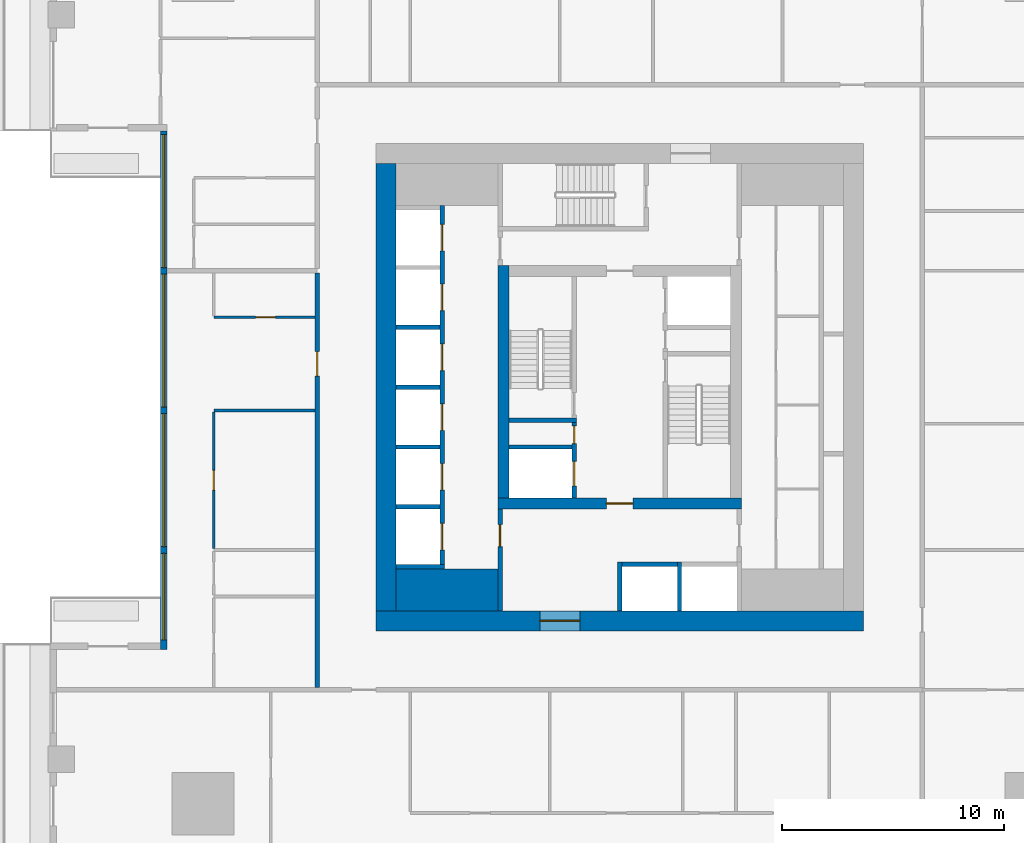
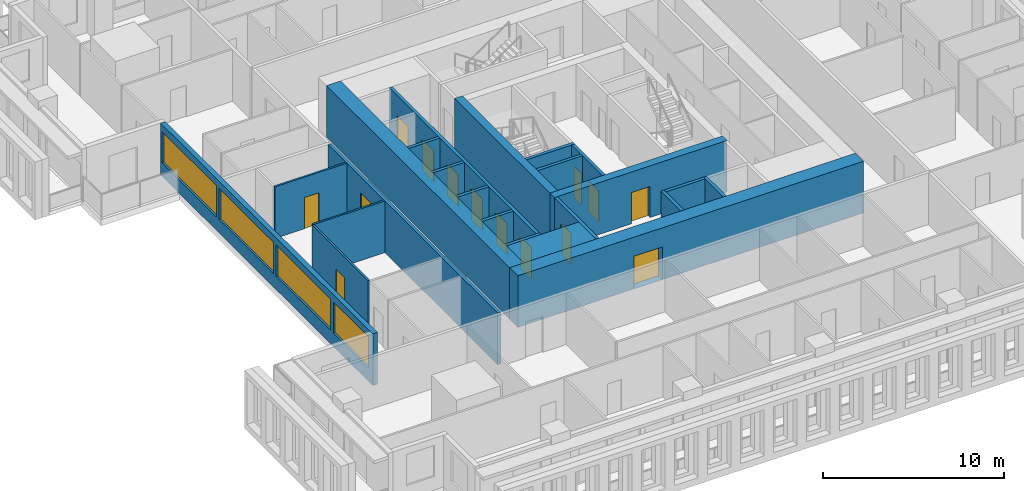
# One storey, part 3 of 14: 23 walls, 14 doors, 4 windows, 18 openings.
"""IFC4 building model written with IfcOpenShell, lengths in metres."""

from ifc_helpers import new_model, si_unit, direction, frame, frame_2d, origin, place, context, subcontext, project, spatial, rectangle, extrude, material, layer, layer_set, type_object, element, fill, save


model = new_model("IFC4")

# Units and contexts
model_context = context("Model", 3, precision=1e-05, world=origin(), true_north=direction((0.0, 1.0)))
body_context = subcontext(model_context, "Body", "Model", "MODEL_VIEW")
ifc_project = project(units=[si_unit("LENGTHUNIT", "METRE"), si_unit("AREAUNIT", "SQUARE_METRE"), si_unit("VOLUMEUNIT", "CUBIC_METRE"), si_unit("PLANEANGLEUNIT", "RADIAN"), si_unit("MASSUNIT", "GRAM", prefix="KILO")], contexts=[model_context])

# Site, building, storey
site_placement = place(None, origin())
site = spatial("IfcSite", under=ifc_project, at=site_placement, CompositionType="ELEMENT")
building_placement = place(site_placement, origin())
building = spatial("IfcBuilding", under=site, at=building_placement, Name="Khepri Terraces", CompositionType="ELEMENT")
storey_placement = place(building_placement, frame((0.0, 0.0, 110.39990234375)))
storey = spatial("IfcBuildingStorey", under=building, at=storey_placement, Name="L26", CompositionType="ELEMENT", Elevation=110.39990234375)

# Walls
ifc_material_1 = material(Name="Concrete C70/85", Category="concrete")
ifc_layer_1 = layer(ifc_material_1, 1.89990234375, Name="Concrete C70/85", Category="concrete")
ifc_layer_set_1 = layer_set([ifc_layer_1], Name="Concrete C70/85")
wall_type_1 = type_object("IfcWallType", Name="Core wall 1900 C70/85", PredefinedType="SHEAR", material=ifc_layer_set_1)
wall_1_placement = place(storey_placement, frame((-10.10009765625, -9.14990234375, 0.0), z_axis=(0.0, 0.0, 1.0), x_axis=(1.0, 0.0, 0.0)))
element("IfcWall", 1, at=wall_1_placement, inside=storey, type_object=wall_type_1, Name="Core wall PR01 L26", PredefinedType="SHEAR", context=body_context, shape_type="SweptSolid", body=[
    extrude(rectangle(XDim=4.60009765625, YDim=1.89990234375, at=frame_2d((2.300048828125, 0.0))), origin(), (0.0, 0.0, 1.0), 3.47998046875),
])
ifc_layer_2 = layer(ifc_material_1, 0.199951171875, Name="Concrete C70/85", Category="concrete")
ifc_layer_set_2 = layer_set([ifc_layer_2], Name="Concrete C70/85")
wall_type_2 = type_object("IfcWallType", Name="Core wall 200 C70/85", PredefinedType="SHEAR", material=ifc_layer_set_2)
wall_2_placement = place(storey_placement, frame((-5.0, -1.5, 0.0), z_axis=(0.0, 0.0, 1.0), x_axis=(1.0, 0.0, 0.0)))
element("IfcWall", 2, at=wall_2_placement, inside=storey, type_object=wall_type_2, Name="Core wall ST02 L26", PredefinedType="SHEAR", context=body_context, shape_type="SweptSolid", body=[
    extrude(rectangle(XDim=3.050048828125, YDim=0.199951171875, at=frame_2d((1.52490234375, 0.0))), origin(), (0.0, 0.0, 1.0), 3.47998046875),
])
for number, where, z_axis, x_axis, name in (
    (3, (0.0, -10.10009765625, 0.0), (0.0, 0.0, 1.0), (0.0, 1.0, 0.0), "Core wall SH01 L26"),
    (4, (2.699951171875, -10.10009765625, 0.0), (0.0, 0.0, 1.0), (0.0, 1.0, 0.0), "Core wall SH02 L26"),
    (5, (-10.10009765625, -8.10009765625, 0.0), (0.0, 0.0, 1.0), (1.0, 0.0, 0.0), "Core wall SH04 L26"),
):
    element("IfcWall", number, at=place(storey_placement, frame(where, z_axis=z_axis, x_axis=x_axis)), inside=storey, type_object=wall_type_2, Name=name, PredefinedType="SHEAR", context=body_context, shape_type="SweptSolid", body=[
        extrude(rectangle(XDim=2.2001953125, YDim=0.199951171875, at=frame_2d((1.10009765625, 0.0))), origin(), (0.0, 0.0, 1.0), 3.47998046875),
    ])
wall_3_placement = place(storey_placement, frame((0.10009765625, -8.0, 0.0), z_axis=(0.0, 0.0, 1.0), x_axis=(1.0, 0.0, 0.0)))
element("IfcWall", 6, at=wall_3_placement, inside=storey, type_object=wall_type_2, Name="Core wall SH06 L26", PredefinedType="SHEAR", context=body_context, shape_type="SweptSolid", body=[
    extrude(rectangle(XDim=2.5, YDim=0.199951171875, at=frame_2d((1.25, 0.0))), origin(), (0.0, 0.0, 1.0), 3.47998046875),
])

# Wall, openings, doors
wall_4_placement = place(storey_placement, frame((-8.0, -8.0, 0.0), z_axis=(0.0, 0.0, 1.0), x_axis=(0.0, 1.0, 0.0)))
wall_4 = element("IfcWall", 7, at=wall_4_placement, inside=storey, type_object=wall_type_2, Name="Core wall SH08 L26", PredefinedType="SHEAR", context=body_context, shape_type="SweptSolid", body=[
    extrude(rectangle(XDim=16.199951171875, YDim=0.199951171875, at=frame_2d((8.10009765625, 0.0))), origin(), (0.0, 0.0, 1.0), 3.47998046875),
])
opening_1_placement = place(wall_4_placement, frame((0.64990234375, 0.0, 0.0)))
opening_1 = element("IfcOpeningElement", 8, at=opening_1_placement, cuts=wall_4, Name="Opening L26-C01", PredefinedType="OPENING", context=body_context, shape_type="SweptSolid", body=[
    extrude(rectangle(XDim=1.199951171875, YDim=2.10009765625, at=frame_2d((0.60009765625, 1.050048828125))), frame((0.0, 0.10986328125, 0.0), z_axis=(0.0, -1.0, 0.0), x_axis=(1.0, 0.0, 0.0)), (0.0, 0.0, 1.0), 0.219970703125),
])
opening_2_placement = place(wall_4_placement, frame((3.35009765625, 0.0, 0.0)))
opening_2 = element("IfcOpeningElement", 9, at=opening_2_placement, cuts=wall_4, Name="Opening L26-C02", PredefinedType="OPENING", context=body_context, shape_type="SweptSolid", body=[
    extrude(rectangle(XDim=1.199951171875, YDim=2.10009765625, at=frame_2d((0.60009765625, 1.050048828125))), frame((0.0, 0.10986328125, 0.0), z_axis=(0.0, -1.0, 0.0), x_axis=(1.0, 0.0, 0.0)), (0.0, 0.0, 1.0), 0.219970703125),
])
opening_3_placement = place(wall_4_placement, frame((6.050048828125, 0.0, 0.0)))
opening_3 = element("IfcOpeningElement", 10, at=opening_3_placement, cuts=wall_4, Name="Opening L26-C03", PredefinedType="OPENING", context=body_context, shape_type="SweptSolid", body=[
    extrude(rectangle(XDim=1.199951171875, YDim=2.10009765625, at=frame_2d((0.60009765625, 1.050048828125))), frame((0.0, 0.10986328125, 0.0), z_axis=(0.0, -1.0, 0.0), x_axis=(1.0, 0.0, 0.0)), (0.0, 0.0, 1.0), 0.219970703125),
])
opening_4_placement = place(wall_4_placement, frame((8.75, 0.0, 0.0)))
opening_4 = element("IfcOpeningElement", 11, at=opening_4_placement, cuts=wall_4, Name="Opening L26-C04", PredefinedType="OPENING", context=body_context, shape_type="SweptSolid", body=[
    extrude(rectangle(XDim=1.199951171875, YDim=2.10009765625, at=frame_2d((0.60009765625, 1.050048828125))), frame((0.0, 0.10986328125, 0.0), z_axis=(0.0, -1.0, 0.0), x_axis=(1.0, 0.0, 0.0)), (0.0, 0.0, 1.0), 0.219970703125),
])
opening_5_placement = place(wall_4_placement, frame((11.449951171875, 0.0, 0.0)))
opening_5 = element("IfcOpeningElement", 12, at=opening_5_placement, cuts=wall_4, Name="Opening L26-C05", PredefinedType="OPENING", context=body_context, shape_type="SweptSolid", body=[
    extrude(rectangle(XDim=1.199951171875, YDim=2.10009765625, at=frame_2d((0.60009765625, 1.050048828125))), frame((0.0, 0.10986328125, 0.0), z_axis=(0.0, -1.0, 0.0), x_axis=(1.0, 0.0, 0.0)), (0.0, 0.0, 1.0), 0.219970703125),
])
opening_6_placement = place(wall_4_placement, frame((14.14990234375, 0.0, 0.0)))
opening_6 = element("IfcOpeningElement", 13, at=opening_6_placement, cuts=wall_4, Name="Opening L26-C06", PredefinedType="OPENING", context=body_context, shape_type="SweptSolid", body=[
    extrude(rectangle(XDim=1.199951171875, YDim=2.10009765625, at=frame_2d((0.60009765625, 1.050048828125))), frame((0.0, 0.10986328125, 0.0), z_axis=(0.0, -1.0, 0.0), x_axis=(1.0, 0.0, 0.0)), (0.0, 0.0, 1.0), 0.219970703125),
])
ifc_material_2 = material(Name="Stainless steel 304", Category="steel")
door_type_1 = type_object("IfcDoorType", Name="DR-CORE-LANDING-1200", OperationType="NOTDEFINED", PredefinedType="DOOR", material=ifc_material_2)
door_1_placement = place(opening_1_placement, origin())
door_1 = element("IfcDoor", 14, at=door_1_placement, inside=storey, type_object=door_type_1, Name="Lift landing door L26-C01", OperationType="SLIDING_TO_LEFT", OverallHeight=2.10009765625, OverallWidth=1.199951171875, PredefinedType="DOOR", context=body_context, shape_type="SweptSolid", body=[
    extrude(rectangle(XDim=1.199951171875, YDim=2.10009765625, at=frame_2d((0.60009765625, 1.050048828125))), frame((0.0, 0.02490234375, 0.0), z_axis=(0.0, -1.0, 0.0), x_axis=(1.0, 0.0, 0.0)), (0.0, 0.0, 1.0), 0.050048828125),
])
fill(opening_1, door_1)
door_2_placement = place(opening_2_placement, origin())
door_2 = element("IfcDoor", 15, at=door_2_placement, inside=storey, type_object=door_type_1, Name="Lift landing door L26-C02", OperationType="SLIDING_TO_LEFT", OverallHeight=2.10009765625, OverallWidth=1.199951171875, PredefinedType="DOOR", context=body_context, shape_type="SweptSolid", body=[
    extrude(rectangle(XDim=1.199951171875, YDim=2.10009765625, at=frame_2d((0.60009765625, 1.050048828125))), frame((0.0, 0.02490234375, 0.0), z_axis=(0.0, -1.0, 0.0), x_axis=(1.0, 0.0, 0.0)), (0.0, 0.0, 1.0), 0.050048828125),
])
fill(opening_2, door_2)
door_3_placement = place(opening_3_placement, origin())
door_3 = element("IfcDoor", 16, at=door_3_placement, inside=storey, type_object=door_type_1, Name="Lift landing door L26-C03", OperationType="SLIDING_TO_LEFT", OverallHeight=2.10009765625, OverallWidth=1.199951171875, PredefinedType="DOOR", context=body_context, shape_type="SweptSolid", body=[
    extrude(rectangle(XDim=1.199951171875, YDim=2.10009765625, at=frame_2d((0.60009765625, 1.050048828125))), frame((0.0, 0.02490234375, 0.0), z_axis=(0.0, -1.0, 0.0), x_axis=(1.0, 0.0, 0.0)), (0.0, 0.0, 1.0), 0.050048828125),
])
fill(opening_3, door_3)
door_4_placement = place(opening_4_placement, origin())
door_4 = element("IfcDoor", 17, at=door_4_placement, inside=storey, type_object=door_type_1, Name="Lift landing door L26-C04", OperationType="SLIDING_TO_LEFT", OverallHeight=2.10009765625, OverallWidth=1.199951171875, PredefinedType="DOOR", context=body_context, shape_type="SweptSolid", body=[
    extrude(rectangle(XDim=1.199951171875, YDim=2.10009765625, at=frame_2d((0.60009765625, 1.050048828125))), frame((0.0, 0.02490234375, 0.0), z_axis=(0.0, -1.0, 0.0), x_axis=(1.0, 0.0, 0.0)), (0.0, 0.0, 1.0), 0.050048828125),
])
fill(opening_4, door_4)
door_5_placement = place(opening_5_placement, origin())
door_5 = element("IfcDoor", 18, at=door_5_placement, inside=storey, type_object=door_type_1, Name="Lift landing door L26-C05", OperationType="SLIDING_TO_LEFT", OverallHeight=2.10009765625, OverallWidth=1.199951171875, PredefinedType="DOOR", context=body_context, shape_type="SweptSolid", body=[
    extrude(rectangle(XDim=1.199951171875, YDim=2.10009765625, at=frame_2d((0.60009765625, 1.050048828125))), frame((0.0, 0.02490234375, 0.0), z_axis=(0.0, -1.0, 0.0), x_axis=(1.0, 0.0, 0.0)), (0.0, 0.0, 1.0), 0.050048828125),
])
fill(opening_5, door_5)
door_6_placement = place(opening_6_placement, origin())
door_6 = element("IfcDoor", 19, at=door_6_placement, inside=storey, type_object=door_type_1, Name="Lift landing door L26-C06", OperationType="SLIDING_TO_LEFT", OverallHeight=2.10009765625, OverallWidth=1.199951171875, PredefinedType="DOOR", context=body_context, shape_type="SweptSolid", body=[
    extrude(rectangle(XDim=1.199951171875, YDim=2.10009765625, at=frame_2d((0.60009765625, 1.050048828125))), frame((0.0, 0.02490234375, 0.0), z_axis=(0.0, -1.0, 0.0), x_axis=(1.0, 0.0, 0.0)), (0.0, 0.0, 1.0), 0.050048828125),
])
fill(opening_6, door_6)

# Wall
wall_5_placement = place(storey_placement, frame((-10.10009765625, -5.39990234375, 0.0), z_axis=(0.0, 0.0, 1.0), x_axis=(1.0, 0.0, 0.0)))
element("IfcWall", 20, at=wall_5_placement, inside=storey, type_object=wall_type_2, Name="Core wall SH09 L26", PredefinedType="SHEAR", context=body_context, shape_type="SweptSolid", body=[
    extrude(rectangle(XDim=2.0, YDim=0.199951171875, at=frame_2d((1.0, 0.0))), origin(), (0.0, 0.0, 1.0), 3.47998046875),
])

# Wall, openings, doors
wall_6_placement = place(storey_placement, frame((-2.050048828125, -5.0, 0.0), z_axis=(0.0, 0.0, 1.0), x_axis=(0.0, 1.0, 0.0)))
wall_6 = element("IfcWall", 21, at=wall_6_placement, inside=storey, type_object=wall_type_2, Name="Core wall SH10 L26", PredefinedType="SHEAR", context=body_context, shape_type="SweptSolid", body=[
    extrude(rectangle(XDim=3.39990234375, YDim=0.199951171875, at=frame_2d((1.699951171875, 0.0))), origin(), (0.0, 0.0, 1.0), 3.47998046875),
])
opening_7_placement = place(wall_6_placement, frame((0.550048828125, 0.0, 0.0)))
opening_7 = element("IfcOpeningElement", 22, at=opening_7_placement, cuts=wall_6, Name="Opening L26-C08", PredefinedType="OPENING", context=body_context, shape_type="SweptSolid", body=[
    extrude(rectangle(XDim=1.10009765625, YDim=2.10009765625, at=frame_2d((0.550048828125, 1.050048828125))), frame((0.0, 0.10986328125, 0.0), z_axis=(0.0, -1.0, 0.0), x_axis=(1.0, 0.0, 0.0)), (0.0, 0.0, 1.0), 0.219970703125),
])
opening_8_placement = place(wall_6_placement, frame((2.449951171875, 0.0, 0.0)))
opening_8 = element("IfcOpeningElement", 23, at=opening_8_placement, cuts=wall_6, Name="Opening L26-C12", PredefinedType="OPENING", context=body_context, shape_type="SweptSolid", body=[
    extrude(rectangle(XDim=0.800048828125, YDim=2.10009765625, at=frame_2d((0.39990234375, 1.050048828125))), frame((0.0, 0.10986328125, 0.0), z_axis=(0.0, -1.0, 0.0), x_axis=(1.0, 0.0, 0.0)), (0.0, 0.0, 1.0), 0.219970703125),
])
door_type_2 = type_object("IfcDoorType", Name="DR-CORE-FF-LANDING-1100", OperationType="NOTDEFINED", PredefinedType="DOOR", material=ifc_material_2)
door_7_placement = place(opening_7_placement, origin())
door_7 = element("IfcDoor", 24, at=door_7_placement, inside=storey, type_object=door_type_2, Name="Firefighting lift landing door L26-C08", OperationType="SLIDING_TO_LEFT", OverallHeight=2.10009765625, OverallWidth=1.10009765625, PredefinedType="DOOR", context=body_context, shape_type="SweptSolid", body=[
    extrude(rectangle(XDim=1.10009765625, YDim=2.10009765625, at=frame_2d((0.550048828125, 1.050048828125))), frame((0.0, 0.02490234375, 0.0), z_axis=(0.0, -1.0, 0.0), x_axis=(1.0, 0.0, 0.0)), (0.0, 0.0, 1.0), 0.050048828125),
])
fill(opening_7, door_7)
ifc_material_3 = material(Name="Painted steel", Category="steel")
door_type_3 = type_object("IfcDoorType", Name="DR-CORE-RISER-800", OperationType="NOTDEFINED", PredefinedType="DOOR", material=ifc_material_3)
door_8_placement = place(opening_8_placement, origin())
door_8 = element("IfcDoor", 25, at=door_8_placement, inside=storey, type_object=door_type_3, Name="Riser door L26-C12", OperationType="SINGLE_SWING_RIGHT", OverallHeight=2.10009765625, OverallWidth=0.800048828125, PredefinedType="DOOR", context=body_context, shape_type="SweptSolid", body=[
    extrude(rectangle(XDim=0.800048828125, YDim=2.10009765625, at=frame_2d((0.39990234375, 1.050048828125))), frame((0.0, 0.02490234375, 0.0), z_axis=(0.0, -1.0, 0.0), x_axis=(1.0, 0.0, 0.0)), (0.0, 0.0, 1.0), 0.050048828125),
])
fill(opening_8, door_8)

# Walls
wall_7_placement = place(storey_placement, frame((-10.10009765625, -2.699951171875, 0.0), z_axis=(0.0, 0.0, 1.0), x_axis=(1.0, 0.0, 0.0)))
element("IfcWall", 26, at=wall_7_placement, inside=storey, type_object=wall_type_2, Name="Core wall SH12 L26", PredefinedType="SHEAR", context=body_context, shape_type="SweptSolid", body=[
    extrude(rectangle(XDim=2.0, YDim=0.199951171875, at=frame_2d((1.0, 0.0))), origin(), (0.0, 0.0, 1.0), 3.47998046875),
])
wall_8_placement = place(storey_placement, frame((-5.0, -2.699951171875, 0.0), z_axis=(0.0, 0.0, 1.0), x_axis=(1.0, 0.0, 0.0)))
element("IfcWall", 27, at=wall_8_placement, inside=storey, type_object=wall_type_2, Name="Core wall SH13 L26", PredefinedType="SHEAR", context=body_context, shape_type="SweptSolid", body=[
    extrude(rectangle(XDim=2.85009765625, YDim=0.199951171875, at=frame_2d((1.425048828125, 0.0))), origin(), (0.0, 0.0, 1.0), 3.47998046875),
])
for number, where, z_axis, x_axis, name in (
    (28, (-10.10009765625, 0.0, 0.0), (0.0, 0.0, 1.0), (1.0, 0.0, 0.0), "Core wall SH14 L26"),
    (29, (-10.10009765625, 2.699951171875, 0.0), (0.0, 0.0, 1.0), (1.0, 0.0, 0.0), "Core wall SH17 L26"),
):
    element("IfcWall", number, at=place(storey_placement, frame(where, z_axis=z_axis, x_axis=x_axis)), inside=storey, type_object=wall_type_2, Name=name, PredefinedType="SHEAR", context=body_context, shape_type="SweptSolid", body=[
        extrude(rectangle(XDim=2.0, YDim=0.199951171875, at=frame_2d((1.0, 0.0))), origin(), (0.0, 0.0, 1.0), 3.47998046875),
    ])

# Wall, opening, door
ifc_layer_3 = layer(ifc_material_1, 0.5, Name="Concrete C70/85", Category="concrete")
ifc_layer_set_3 = layer_set([ifc_layer_3], Name="Concrete C70/85")
wall_type_3 = type_object("IfcWallType", Name="Core wall 500 C70/85", PredefinedType="SHEAR", material=ifc_layer_set_3)
wall_9_placement = place(storey_placement, frame((-5.5, -5.25, 0.0), z_axis=(0.0, 0.0, 1.0), x_axis=(1.0, 0.0, 0.0)))
wall_9 = element("IfcWall", 30, at=wall_9_placement, inside=storey, type_object=wall_type_3, Name="Core wall BX01 L26", PredefinedType="SHEAR", context=body_context, shape_type="SweptSolid", body=[
    extrude(rectangle(XDim=11.0, YDim=0.5, at=frame_2d((5.5, 0.0))), origin(), (0.0, 0.0, 1.0), 3.47998046875),
])
opening_9_placement = place(wall_9_placement, frame((4.89990234375, 0.0, 0.0)))
opening_9 = element("IfcOpeningElement", 31, at=opening_9_placement, cuts=wall_9, Name="Opening L26-C14", PredefinedType="OPENING", context=body_context, shape_type="SweptSolid", body=[
    extrude(rectangle(XDim=1.199951171875, YDim=2.10009765625, at=frame_2d((0.60009765625, 1.050048828125))), frame((0.0, 0.260009765625, 0.0), z_axis=(0.0, -1.0, 0.0), x_axis=(1.0, 0.0, 0.0)), (0.0, 0.0, 1.0), 0.52001953125),
])
door_type_4 = type_object("IfcDoorType", Name="DR-CORE-FF-LOBBY-1200", OperationType="NOTDEFINED", PredefinedType="DOOR", material=ifc_material_3)
door_9_placement = place(opening_9_placement, origin())
door_9 = element("IfcDoor", 32, at=door_9_placement, inside=storey, type_object=door_type_4, Name="Firefighting lobby door L26-C14", OperationType="SINGLE_SWING_RIGHT", OverallHeight=2.10009765625, OverallWidth=1.199951171875, PredefinedType="DOOR", context=body_context, shape_type="SweptSolid", body=[
    extrude(rectangle(XDim=1.199951171875, YDim=2.10009765625, at=frame_2d((0.60009765625, 1.050048828125))), frame((0.0, 0.02490234375, 0.0), z_axis=(0.0, -1.0, 0.0), x_axis=(1.0, 0.0, 0.0)), (0.0, 0.0, 1.0), 0.050048828125),
])
fill(opening_9, door_9)

# Wall
wall_10_placement = place(storey_placement, frame((-5.25, -5.0, 0.0), z_axis=(0.0, 0.0, 1.0), x_axis=(0.0, 1.0, 0.0)))
element("IfcWall", 33, at=wall_10_placement, inside=storey, type_object=wall_type_3, Name="Core wall BX02 L26", PredefinedType="SHEAR", context=body_context, shape_type="SweptSolid", body=[
    extrude(rectangle(XDim=10.5, YDim=0.5, at=frame_2d((5.25, 0.0))), origin(), (0.0, 0.0, 1.0), 3.47998046875),
])

# Wall, opening, door
ifc_layer_4 = layer(ifc_material_1, 0.89990234375, Name="Concrete C70/85", Category="concrete")
ifc_layer_set_4 = layer_set([ifc_layer_4], Name="Concrete C70/85")
wall_type_4 = type_object("IfcWallType", Name="Core wall 900 C70/85", PredefinedType="SHEAR", material=ifc_layer_set_4)
wall_11_placement = place(storey_placement, frame((-11.0, -10.550048828125, 0.0), z_axis=(0.0, 0.0, 1.0), x_axis=(1.0, 0.0, 0.0)))
wall_11 = element("IfcWall", 34, at=wall_11_placement, inside=storey, type_object=wall_type_4, Name="Core wall OW-S L26", PredefinedType="SHEAR", context=body_context, shape_type="SweptSolid", body=[
    extrude(rectangle(XDim=22.0, YDim=0.89990234375, at=frame_2d((11.0, 0.0))), origin(), (0.0, 0.0, 1.0), 3.47998046875),
])
opening_10_placement = place(wall_11_placement, frame((7.39990234375, 0.0, 0.0)))
opening_10 = element("IfcOpeningElement", 35, at=opening_10_placement, cuts=wall_11, Name="Opening L26-C21", PredefinedType="OPENING", context=body_context, shape_type="SweptSolid", body=[
    extrude(rectangle(XDim=1.800048828125, YDim=2.199951171875, at=frame_2d((0.89990234375, 1.10009765625))), frame((0.0, 0.4599609375, 0.0), z_axis=(0.0, -1.0, 0.0), x_axis=(1.0, 0.0, 0.0)), (0.0, 0.0, 1.0), 0.919921875),
])
door_type_5 = type_object("IfcDoorType", Name="DR-CORE-ENTRANCE-1800", OperationType="NOTDEFINED", PredefinedType="DOOR", material=ifc_material_3)
door_10_placement = place(opening_10_placement, frame((1.800048828125, 0.0, 0.0), z_axis=(0.0, 0.0, 1.0), x_axis=(-1.0, 0.0, 0.0)))
door_10 = element("IfcDoor", 36, at=door_10_placement, inside=storey, type_object=door_type_5, Name="Core entrance door pair L26-C21", OperationType="DOUBLE_DOOR_SINGLE_SWING", OverallHeight=2.199951171875, OverallWidth=1.800048828125, PredefinedType="DOOR", context=body_context, shape_type="SweptSolid", body=[
    extrude(rectangle(XDim=1.800048828125, YDim=2.199951171875, at=frame_2d((0.89990234375, 1.10009765625))), frame((0.0, 0.02490234375, 0.0), z_axis=(0.0, -1.0, 0.0), x_axis=(1.0, 0.0, 0.0)), (0.0, 0.0, 1.0), 0.050048828125),
])
fill(opening_10, door_10)

# Wall
wall_12_placement = place(storey_placement, frame((-10.550048828125, -10.10009765625, 0.0), z_axis=(0.0, 0.0, 1.0), x_axis=(0.0, 1.0, 0.0)))
element("IfcWall", 37, at=wall_12_placement, inside=storey, type_object=wall_type_4, Name="Core wall OW-W L26", PredefinedType="SHEAR", context=body_context, shape_type="SweptSolid", body=[
    extrude(rectangle(XDim=20.2001953125, YDim=0.89990234375, at=frame_2d((10.10009765625, 0.0))), origin(), (0.0, 0.0, 1.0), 3.47998046875),
])

# Wall, opening, door
ifc_material_4 = material(Name="Fire-rated gypsum board partition")
ifc_layer_5 = layer(ifc_material_4, 0.199951171875, Name="Fire-rated gypsum board partition")
ifc_layer_set_5 = layer_set([ifc_layer_5], Name="Fire-rated gypsum board partition")
wall_type_5 = type_object("IfcWallType", Name="WL-CORE-PART-200", PredefinedType="PARTITIONING", material=ifc_layer_set_5)
wall_13_placement = place(storey_placement, frame((-5.39990234375, -10.10009765625, 0.0), z_axis=(0.0, 0.0, 1.0), x_axis=(0.0, 1.0, 0.0)))
wall_13 = element("IfcWall", 38, at=wall_13_placement, inside=storey, type_object=wall_type_5, Name="Core partition PT01 L26", PredefinedType="PARTITIONING", context=body_context, shape_type="SweptSolid", body=[
    extrude(rectangle(XDim=4.60009765625, YDim=0.199951171875, at=frame_2d((2.300048828125, 0.0))), origin(), (0.0, 0.0, 1.0), 3.47998046875),
])
opening_11_placement = place(wall_13_placement, frame((2.89990234375, 0.0, 0.0)))
opening_11 = element("IfcOpeningElement", 39, at=opening_11_placement, cuts=wall_13, Name="Opening L26-C18", PredefinedType="OPENING", context=body_context, shape_type="SweptSolid", body=[
    extrude(rectangle(XDim=1.0, YDim=2.10009765625, at=frame_2d((0.5, 1.050048828125))), frame((0.0, 0.10986328125, 0.0), z_axis=(0.0, -1.0, 0.0), x_axis=(1.0, 0.0, 0.0)), (0.0, 0.0, 1.0), 0.219970703125),
])
door_type_6 = type_object("IfcDoorType", Name="DR-CORE-LOBBY-1000", OperationType="NOTDEFINED", PredefinedType="DOOR", material=ifc_material_3)
door_11_placement = place(opening_11_placement, frame((1.0, 0.0, 0.0), z_axis=(0.0, 0.0, 1.0), x_axis=(-1.0, 0.0, 0.0)))
door_11 = element("IfcDoor", 40, at=door_11_placement, inside=storey, type_object=door_type_6, Name="Lobby door L26-C18", OperationType="SINGLE_SWING_LEFT", OverallHeight=2.10009765625, OverallWidth=1.0, PredefinedType="DOOR", context=body_context, shape_type="SweptSolid", body=[
    extrude(rectangle(XDim=1.0, YDim=2.10009765625, at=frame_2d((0.5, 1.050048828125))), frame((0.0, 0.02490234375, 0.0), z_axis=(0.0, -1.0, 0.0), x_axis=(1.0, 0.0, 0.0)), (0.0, 0.0, 1.0), 0.050048828125),
])
fill(opening_11, door_11)

ifc_material_5 = material(Name="Fire-rated gypsum plasterboard partition, mineral wool")
ifc_layer_6 = layer(ifc_material_5, 0.199951171875, Name="Fire-rated gypsum plasterboard partition, mineral wool")
ifc_layer_set_6 = layer_set([ifc_layer_6], Name="Fire-rated gypsum plasterboard partition, mineral wool")
wall_type_6 = type_object("IfcWallType", Name="WL-CORR-200", PredefinedType="PARTITIONING", material=ifc_layer_set_6)
wall_14_placement = place(storey_placement, frame((-13.64990234375, -13.550048828125, 0.0), z_axis=(0.0, 0.0, 1.0), x_axis=(0.0, 1.0, 0.0)))
wall_14 = element("IfcWall", 41, at=wall_14_placement, inside=storey, type_object=wall_type_6, Name="Partition P-023 L26", PredefinedType="PARTITIONING", context=body_context, shape_type="SweptSolid", body=[
    extrude(rectangle(XDim=18.699951171875, YDim=0.199951171875, at=frame_2d((9.35009765625, 0.0))), origin(), (0.0, 0.0, 1.0), 3.47998046875),
])
opening_12_placement = place(wall_14_placement, frame((14.050048828125, 0.0, 0.0)))
opening_12 = element("IfcOpeningElement", 42, at=opening_12_placement, cuts=wall_14, Name="Opening D1", PredefinedType="OPENING", context=body_context, shape_type="SweptSolid", body=[
    extrude(rectangle(XDim=1.10009765625, YDim=2.39990234375, at=frame_2d((0.550048828125, 1.199951171875))), frame((0.0, 0.10986328125, 0.0), z_axis=(0.0, -1.0, 0.0), x_axis=(1.0, 0.0, 0.0)), (0.0, 0.0, 1.0), 0.219970703125),
])
ifc_material_6 = material(Name="Solid-core timber door leaf, flat entrance door", Category="wood")
door_type_7 = type_object("IfcDoorType", Name="DR-ENT-1100", OperationType="NOTDEFINED", PredefinedType="DOOR", material=ifc_material_6)
door_12_placement = place(opening_12_placement, origin())
door_12 = element("IfcDoor", 43, at=door_12_placement, inside=storey, type_object=door_type_7, Name="Flat D2 entrance door", OperationType="SINGLE_SWING_RIGHT", OverallHeight=2.39990234375, OverallWidth=1.10009765625, PredefinedType="DOOR", context=body_context, shape_type="SweptSolid", body=[
    extrude(rectangle(XDim=1.10009765625, YDim=2.39990234375, at=frame_2d((0.550048828125, 1.199951171875))), frame((0.0, 0.02490234375, 0.0), z_axis=(0.0, -1.0, 0.0), x_axis=(1.0, 0.0, 0.0)), (0.0, 0.0, 1.0), 0.050048828125),
])
fill(opening_12, door_12)

# Wall, openings, windows
ifc_material_7 = material(Name="Precast concrete C50/60 warm stone", Category="masonry")
ifc_layer_7 = layer(ifc_material_7, 0.300048828125, Name="Precast concrete C50/60 warm stone", Category="masonry")
ifc_layer_set_7 = layer_set([ifc_layer_7], Name="Precast concrete C50/60 warm stone")
wall_type_7 = type_object("IfcWallType", Name="WL-EXT-PRECAST-300", PredefinedType="STANDARD", material=ifc_layer_set_7)
wall_15_placement = place(storey_placement, frame((-20.570068359375, 11.550048828125, 0.0), z_axis=(0.0, 0.0, 1.0), x_axis=(0.0, -1.0, 0.0)))
wall_15 = element("IfcWall", 44, at=wall_15_placement, inside=storey, type_object=wall_type_7, Name="External wall L26 W", PredefinedType="STANDARD", context=body_context, shape_type="SweptSolid", body=[
    extrude(rectangle(XDim=23.400146484375, YDim=0.300048828125, at=frame_2d((11.7001953125, 0.0))), origin(), (0.0, 0.0, 1.0), 3.47998046875),
])
opening_13_placement = place(wall_15_placement, frame((0.14990234375, 0.0, 0.89990234375)))
opening_13 = element("IfcOpeningElement", 45, at=opening_13_placement, cuts=wall_15, Name="Opening W3", PredefinedType="OPENING", context=body_context, shape_type="SweptSolid", body=[
    extrude(rectangle(XDim=6.0, YDim=2.10009765625, at=frame_2d((3.0, 1.050048828125))), frame((0.0, 0.16015625, 0.0), z_axis=(0.0, -1.0, 0.0), x_axis=(1.0, 0.0, 0.0)), (0.0, 0.0, 1.0), 0.320068359375),
])
opening_14_placement = place(wall_15_placement, frame((6.449951171875, 0.0, 0.89990234375)))
opening_14 = element("IfcOpeningElement", 46, at=opening_14_placement, cuts=wall_15, Name="Opening W3", PredefinedType="OPENING", context=body_context, shape_type="SweptSolid", body=[
    extrude(rectangle(XDim=6.0, YDim=2.10009765625, at=frame_2d((3.0, 1.050048828125))), frame((0.0, 0.16015625, 0.0), z_axis=(0.0, -1.0, 0.0), x_axis=(1.0, 0.0, 0.0)), (0.0, 0.0, 1.0), 0.320068359375),
])
opening_15_placement = place(wall_15_placement, frame((12.75, 0.0, 0.89990234375)))
opening_15 = element("IfcOpeningElement", 47, at=opening_15_placement, cuts=wall_15, Name="Opening W3", PredefinedType="OPENING", context=body_context, shape_type="SweptSolid", body=[
    extrude(rectangle(XDim=6.0, YDim=2.10009765625, at=frame_2d((3.0, 1.050048828125))), frame((0.0, 0.16015625, 0.0), z_axis=(0.0, -1.0, 0.0), x_axis=(1.0, 0.0, 0.0)), (0.0, 0.0, 1.0), 0.320068359375),
])
opening_16_placement = place(wall_15_placement, frame((19.050048828125, 0.0, 0.89990234375)))
opening_16 = element("IfcOpeningElement", 48, at=opening_16_placement, cuts=wall_15, Name="Opening W2", PredefinedType="OPENING", context=body_context, shape_type="SweptSolid", body=[
    extrude(rectangle(XDim=3.89990234375, YDim=2.10009765625, at=frame_2d((1.949951171875, 1.050048828125))), frame((0.0, 0.16015625, 0.0), z_axis=(0.0, -1.0, 0.0), x_axis=(1.0, 0.0, 0.0)), (0.0, 0.0, 1.0), 0.320068359375),
])
ifc_material_8 = material(Name="Clear glass", Category="glass")
window_type_1 = type_object("IfcWindowType", Name="WIN-RES-3900x2100", PartitioningType="SINGLE_PANEL", PredefinedType="WINDOW", material=ifc_material_8)
window_1_placement = place(opening_16_placement, origin())
window_1 = element("IfcWindow", 49, at=window_1_placement, inside=storey, type_object=window_type_1, Name="Window L26 W", OverallHeight=2.10009765625, OverallWidth=3.89990234375, PartitioningType="SINGLE_PANEL", PredefinedType="WINDOW", context=body_context, shape_type="SweptSolid", body=[
    extrude(rectangle(XDim=3.89990234375, YDim=2.10009765625, at=frame_2d((1.949951171875, 1.050048828125))), frame((0.0, 0.030029296875, 0.0), z_axis=(0.0, -1.0, 0.0), x_axis=(1.0, 0.0, 0.0)), (0.0, 0.0, 1.0), 0.06005859375),
])
fill(opening_16, window_1)
window_type_2 = type_object("IfcWindowType", Name="WIN-RES-6000x2100", PartitioningType="SINGLE_PANEL", PredefinedType="WINDOW", material=ifc_material_8)
window_2_placement = place(opening_13_placement, origin())
window_2 = element("IfcWindow", 50, at=window_2_placement, inside=storey, type_object=window_type_2, Name="Window L26 W", OverallHeight=2.10009765625, OverallWidth=6.0, PartitioningType="SINGLE_PANEL", PredefinedType="WINDOW", context=body_context, shape_type="SweptSolid", body=[
    extrude(rectangle(XDim=6.0, YDim=2.10009765625, at=frame_2d((3.0, 1.050048828125))), frame((0.0, 0.030029296875, 0.0), z_axis=(0.0, -1.0, 0.0), x_axis=(1.0, 0.0, 0.0)), (0.0, 0.0, 1.0), 0.06005859375),
])
fill(opening_13, window_2)
window_3_placement = place(opening_14_placement, origin())
window_3 = element("IfcWindow", 51, at=window_3_placement, inside=storey, type_object=window_type_2, Name="Window L26 W", OverallHeight=2.10009765625, OverallWidth=6.0, PartitioningType="SINGLE_PANEL", PredefinedType="WINDOW", context=body_context, shape_type="SweptSolid", body=[
    extrude(rectangle(XDim=6.0, YDim=2.10009765625, at=frame_2d((3.0, 1.050048828125))), frame((0.0, 0.030029296875, 0.0), z_axis=(0.0, -1.0, 0.0), x_axis=(1.0, 0.0, 0.0)), (0.0, 0.0, 1.0), 0.06005859375),
])
fill(opening_14, window_3)
window_4_placement = place(opening_15_placement, origin())
window_4 = element("IfcWindow", 52, at=window_4_placement, inside=storey, type_object=window_type_2, Name="Window L26 W", OverallHeight=2.10009765625, OverallWidth=6.0, PartitioningType="SINGLE_PANEL", PredefinedType="WINDOW", context=body_context, shape_type="SweptSolid", body=[
    extrude(rectangle(XDim=6.0, YDim=2.10009765625, at=frame_2d((3.0, 1.050048828125))), frame((0.0, 0.030029296875, 0.0), z_axis=(0.0, -1.0, 0.0), x_axis=(1.0, 0.0, 0.0)), (0.0, 0.0, 1.0), 0.06005859375),
])
fill(opening_15, window_4)

# Wall, opening, door
ifc_material_9 = material(Name="Gypsum plasterboard partition")
ifc_layer_8 = layer(ifc_material_9, 0.1201171875, Name="Gypsum plasterboard partition")
ifc_layer_set_8 = layer_set([ifc_layer_8], Name="Gypsum plasterboard partition")
wall_type_8 = type_object("IfcWallType", Name="WL-PART-120", PredefinedType="PARTITIONING", material=ifc_layer_set_8)
wall_16_placement = place(storey_placement, frame((-18.320068359375, -7.2900390625, 0.0), z_axis=(0.0, 0.0, 1.0), x_axis=(0.0, 1.0, 0.0)))
wall_16 = element("IfcWall", 53, at=wall_16_placement, inside=storey, type_object=wall_type_8, Name="Partition P-032 L26", PredefinedType="PARTITIONING", context=body_context, shape_type="SweptSolid", body=[
    extrude(rectangle(XDim=6.179931640625, YDim=0.1201171875, at=frame_2d((3.08984375, 0.0))), origin(), (0.0, 0.0, 1.0), 3.47998046875),
])
opening_17_placement = place(wall_16_placement, frame((2.639892578125, 0.0, 0.0)))
opening_17 = element("IfcOpeningElement", 54, at=opening_17_placement, cuts=wall_16, Name="Opening D3", PredefinedType="OPENING", context=body_context, shape_type="SweptSolid", body=[
    extrude(rectangle(XDim=0.89990234375, YDim=2.10009765625, at=frame_2d((0.449951171875, 1.050048828125))), frame((0.0, 0.070068359375, 0.0), z_axis=(0.0, -1.0, 0.0), x_axis=(1.0, 0.0, 0.0)), (0.0, 0.0, 1.0), 0.14013671875),
])
ifc_material_10 = material(Name="Timber door leaf", Category="wood")
door_type_8 = type_object("IfcDoorType", Name="DR-INT-900", OperationType="NOTDEFINED", PredefinedType="DOOR", material=ifc_material_10)
door_13_placement = place(opening_17_placement, frame((0.89990234375, 0.0, 0.0), z_axis=(0.0, 0.0, 1.0), x_axis=(-1.0, 0.0, 0.0)))
door_13 = element("IfcDoor", 55, at=door_13_placement, inside=storey, type_object=door_type_8, Name="Door Kitchen", OperationType="SINGLE_SWING_LEFT", OverallHeight=2.10009765625, OverallWidth=0.89990234375, PredefinedType="DOOR", context=body_context, shape_type="SweptSolid", body=[
    extrude(rectangle(XDim=0.89990234375, YDim=2.10009765625, at=frame_2d((0.449951171875, 1.050048828125))), frame((0.0, 0.02490234375, 0.0), z_axis=(0.0, -1.0, 0.0), x_axis=(1.0, 0.0, 0.0)), (0.0, 0.0, 1.0), 0.050048828125),
])
fill(opening_17, door_13)

# Wall
wall_17_placement = place(storey_placement, frame((-18.320068359375, -1.050048828125, 0.0), z_axis=(0.0, 0.0, 1.0), x_axis=(1.0, 0.0, 0.0)))
element("IfcWall", 56, at=wall_17_placement, inside=storey, type_object=wall_type_8, Name="Partition P-041 L26", PredefinedType="PARTITIONING", context=body_context, shape_type="SweptSolid", body=[
    extrude(rectangle(XDim=4.570068359375, YDim=0.1201171875, at=frame_2d((2.28515625, 0.0))), origin(), (0.0, 0.0, 1.0), 3.47998046875),
])

# Wall, opening, door
wall_18_placement = place(storey_placement, frame((-18.320068359375, 3.14990234375, 0.0), z_axis=(0.0, 0.0, 1.0), x_axis=(1.0, 0.0, 0.0)))
wall_18 = element("IfcWall", 57, at=wall_18_placement, inside=storey, type_object=wall_type_8, Name="Partition P-044 L26", PredefinedType="PARTITIONING", context=body_context, shape_type="SweptSolid", body=[
    extrude(rectangle(XDim=4.570068359375, YDim=0.1201171875, at=frame_2d((2.28515625, 0.0))), origin(), (0.0, 0.0, 1.0), 3.47998046875),
])
opening_18_placement = place(wall_18_placement, frame((1.885009765625, 0.0, 0.0)))
opening_18 = element("IfcOpeningElement", 58, at=opening_18_placement, cuts=wall_18, Name="Opening D4", PredefinedType="OPENING", context=body_context, shape_type="SweptSolid", body=[
    extrude(rectangle(XDim=0.89990234375, YDim=2.10009765625, at=frame_2d((0.449951171875, 1.050048828125))), frame((0.0, 0.070068359375, 0.0), z_axis=(0.0, -1.0, 0.0), x_axis=(1.0, 0.0, 0.0)), (0.0, 0.0, 1.0), 0.14013671875),
])
ifc_material_11 = material(Name="Timber door leaf, moisture resistant", Category="wood")
door_type_9 = type_object("IfcDoorType", Name="DR-WET-900", OperationType="NOTDEFINED", PredefinedType="DOOR", material=ifc_material_11)
door_14_placement = place(opening_18_placement, origin())
door_14 = element("IfcDoor", 59, at=door_14_placement, inside=storey, type_object=door_type_9, Name="Door Guest Bathroom", OperationType="SINGLE_SWING_RIGHT", OverallHeight=2.10009765625, OverallWidth=0.89990234375, PredefinedType="DOOR", context=body_context, shape_type="SweptSolid", body=[
    extrude(rectangle(XDim=0.89990234375, YDim=2.10009765625, at=frame_2d((0.449951171875, 1.050048828125))), frame((0.0, 0.02490234375, 0.0), z_axis=(0.0, -1.0, 0.0), x_axis=(1.0, 0.0, 0.0)), (0.0, 0.0, 1.0), 0.050048828125),
])
fill(opening_18, door_14)

save(model, "model.ifc")
